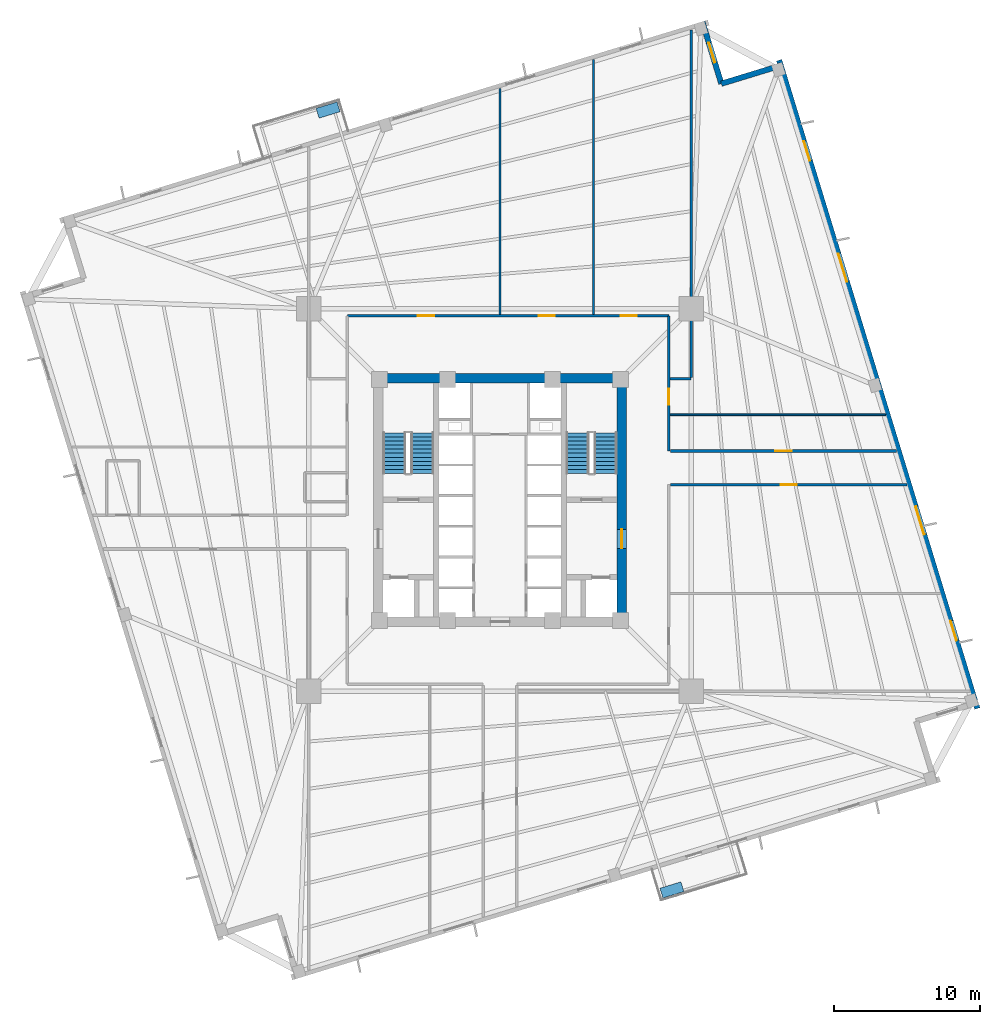
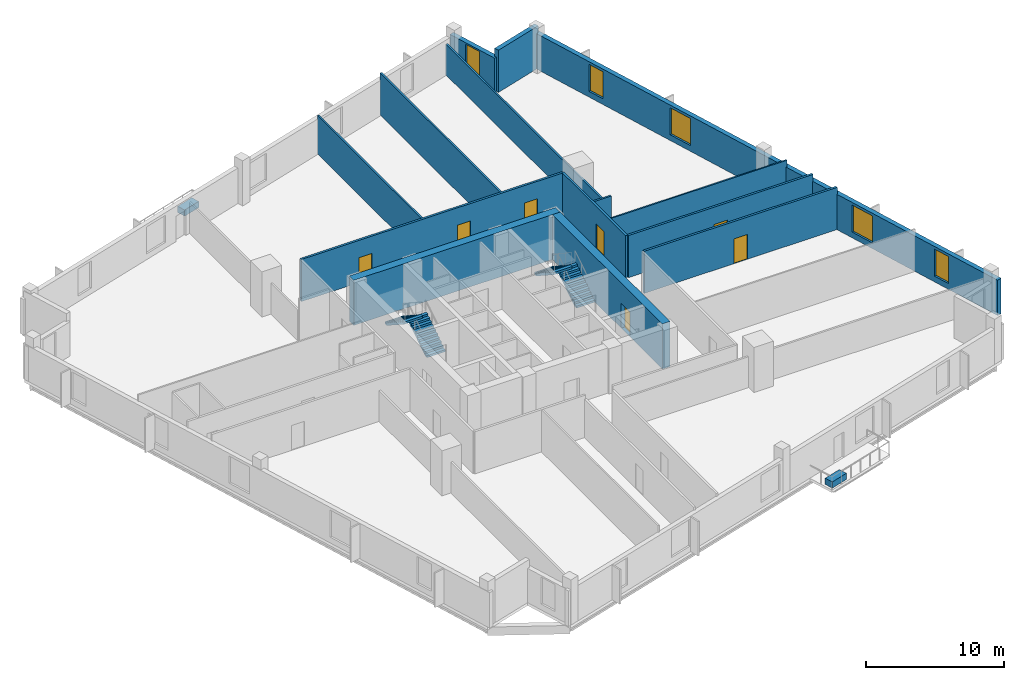
# One storey, part 5 of 8: 14 walls, 7 doors, 5 windows, 4 stair flights, 2 discrete accessories, 12 openings, 2 elements without a shape of their own.
"""IFC4 building model written with IfcOpenShell, lengths in metres."""

from ifc_helpers import new_model, si_unit, direction, frame, frame_2d, origin, origin_2d, place, context, subcontext, project, spatial, polyline, rectangle, outline, extrude, source, transform, mapped, material, layer, layer_set, type_object, element, fill, aggregate, save


model = new_model("IFC4")

# Units and contexts
model_context = context("Model", 3, precision=1e-05, world=origin(), true_north=direction((0.0, 1.0)))
body_context = subcontext(model_context, "Body", "Model", "MODEL_VIEW")
ifc_project = project(units=[si_unit("LENGTHUNIT", "METRE"), si_unit("AREAUNIT", "SQUARE_METRE"), si_unit("VOLUMEUNIT", "CUBIC_METRE"), si_unit("PLANEANGLEUNIT", "RADIAN"), si_unit("MASSUNIT", "GRAM", prefix="KILO"), si_unit("THERMODYNAMICTEMPERATUREUNIT", "KELVIN")], contexts=[model_context])

# Site, building, storey
site_placement = place(None, origin())
site = spatial("IfcSite", under=ifc_project, at=site_placement, CompositionType="ELEMENT")
building_placement = place(site_placement, origin())
building = spatial("IfcBuilding", under=site, at=building_placement, Name="Kosmvard Interchange Tower", CompositionType="ELEMENT")
storey_placement = place(building_placement, frame((0.0, 0.0, 123.199951171875)))
storey = spatial("IfcBuildingStorey", under=building, at=storey_placement, Name="L29", CompositionType="ELEMENT", Elevation=123.199951171875)

# Walls
ifc_material_1 = material(Name="Acoustic gypsum partition system")
ifc_layer_1 = layer(ifc_material_1, 0.14990234375, Name="Acoustic gypsum partition system")
ifc_layer_set_1 = layer_set([ifc_layer_1], Name="Acoustic gypsum partition system")
wall_type_1 = type_object("IfcWallType", Name="Acoustic Suite & Meeting Partition 150", PredefinedType="PARTITIONING", material=ifc_layer_set_1)
wall_1_placement = place(storey_placement, frame((0.0, 12.695068359375, 0.0), z_axis=(0.0, 0.0, 1.0), x_axis=(0.0, 1.0, 0.0)))
element("IfcWall", 1, at=wall_1_placement, inside=storey, type_object=wall_type_1, Name="L29 Room Partition 03.1", PredefinedType="PARTITIONING", context=body_context, shape_type="SweptSolid", body=[
    extrude(rectangle(XDim=15.470703125, YDim=0.14990234375, at=frame_2d((7.7353515625, 0.0))), origin(), (0.0, 0.0, 1.0), 3.41015625),
])
wall_2_placement = place(storey_placement, frame((6.39990234375, 12.695068359375, 0.0), z_axis=(0.0, 0.0, 1.0), x_axis=(0.0, 1.0, 0.0)))
element("IfcWall", 2, at=wall_2_placement, inside=storey, type_object=wall_type_1, Name="L29 Room Partition 04.1", PredefinedType="PARTITIONING", context=body_context, shape_type="SweptSolid", body=[
    extrude(rectangle(XDim=17.42724609375, YDim=0.14990234375, at=frame_2d((8.713623046875, 0.0))), origin(), (0.0, 0.0, 1.0), 3.739990234375),
])
wall_3_placement = place(storey_placement, frame((11.64501953125, 8.300048828125, 0.0), z_axis=(0.0, 0.0, 1.0), x_axis=(1.0, 0.0, 0.0)))
element("IfcWall", 3, at=wall_3_placement, inside=storey, type_object=wall_type_1, Name="L29 Room Partition 05.1", PredefinedType="PARTITIONING", context=body_context, shape_type="SweptSolid", body=[
    extrude(rectangle(XDim=1.43603515625, YDim=0.14990234375, at=frame_2d((0.718017578125, 0.0))), origin(), (0.0, 0.0, 1.0), 3.739990234375),
])
wall_4_placement = place(storey_placement, frame((13.0810546875, 8.375, 0.0), z_axis=(0.0, 0.0, 1.0), x_axis=(0.0, 1.0, 0.0)))
element("IfcWall", 4, at=wall_4_placement, inside=storey, type_object=wall_type_1, Name="L29 Room Partition 06.1", PredefinedType="PARTITIONING", context=body_context, shape_type="SweptSolid", body=[
    extrude(rectangle(XDim=23.7900390625, YDim=0.14990234375, at=frame_2d((11.89501953125, 0.0))), origin(), (0.0, 0.0, 1.0), 2.73193359375),
])

# Wall, openings, doors
ifc_material_2 = material(Name="Fire-rated gypsum partition system")
ifc_layer_2 = layer(ifc_material_2, 0.179931640625, Name="Fire-rated gypsum partition system")
ifc_layer_set_2 = layer_set([ifc_layer_2], Name="Fire-rated gypsum partition system")
wall_type_2 = type_object("IfcWallType", Name="Corridor & Hotel Compartment Partition 180", PredefinedType="PARTITIONING", material=ifc_layer_set_2)
wall_5_placement = place(storey_placement, frame((-10.449951171875, 12.60009765625, 0.0), z_axis=(0.0, 0.0, 1.0), x_axis=(1.0, 0.0, 0.0)))
wall_5 = element("IfcWall", 5, at=wall_5_placement, inside=storey, type_object=wall_type_2, Name="L29 Corridor Wall CN", PredefinedType="PARTITIONING", context=body_context, shape_type="SweptSolid", body=[
    extrude(rectangle(XDim=22.0, YDim=0.179931640625, at=frame_2d((11.0, 0.0))), origin(), (0.0, 0.0, 1.0), 3.739990234375),
])
opening_1_placement = place(wall_5_placement, frame((4.83935546875, 0.0, 0.0)))
opening_1 = element("IfcOpeningElement", 6, at=opening_1_placement, cuts=wall_5, Name="Opening L29-D05", PredefinedType="OPENING", context=body_context, shape_type="SweptSolid", body=[
    extrude(rectangle(XDim=1.10009765625, YDim=2.199951171875, at=frame_2d((0.550048828125, 1.10009765625))), frame((0.0, 0.10009765625, 0.0), z_axis=(0.0, -1.0, 0.0), x_axis=(1.0, 0.0, 0.0)), (0.0, 0.0, 1.0), 0.199951171875),
])
opening_2_placement = place(wall_5_placement, frame((13.10009765625, 0.0, 0.0)))
opening_2 = element("IfcOpeningElement", 7, at=opening_2_placement, cuts=wall_5, Name="Opening L29-D06", PredefinedType="OPENING", context=body_context, shape_type="SweptSolid", body=[
    extrude(rectangle(XDim=1.10009765625, YDim=2.199951171875, at=frame_2d((0.550048828125, 1.10009765625))), frame((0.0, 0.10009765625, 0.0), z_axis=(0.0, -1.0, 0.0), x_axis=(1.0, 0.0, 0.0)), (0.0, 0.0, 1.0), 0.199951171875),
])
opening_3_placement = place(wall_5_placement, frame((18.71044921875, 0.0, 0.0)))
opening_3 = element("IfcOpeningElement", 8, at=opening_3_placement, cuts=wall_5, Name="Opening L29-D07", PredefinedType="OPENING", context=body_context, shape_type="SweptSolid", body=[
    extrude(rectangle(XDim=1.10009765625, YDim=2.199951171875, at=frame_2d((0.550048828125, 1.10009765625))), frame((0.0, 0.10009765625, 0.0), z_axis=(0.0, -1.0, 0.0), x_axis=(1.0, 0.0, 0.0)), (0.0, 0.0, 1.0), 0.199951171875),
])
ifc_material_3 = material(Name="Engineered oak fire-rated timber", Category="wood")
door_type_1 = type_object("IfcDoorType", Name="Office Suite Entrance Door 1100x2200 FD30S", OperationType="NOTDEFINED", PredefinedType="DOOR", material=ifc_material_3)
shared_shape_1 = source(origin(), body_context, "Body", "SweptSolid", [
    extrude(rectangle(XDim=1.10009765625, YDim=2.199951171875, at=frame_2d((0.550048828125, 1.10009765625))), frame((0.0, 0.02490234375, 0.0), z_axis=(0.0, -1.0, 0.0), x_axis=(1.0, 0.0, 0.0)), (0.0, 0.0, 1.0), 0.050048828125),
])
door_1_placement = place(opening_1_placement, origin())
door_1 = element("IfcDoor", 9, at=door_1_placement, inside=storey, type_object=door_type_1, Name="L29 Training Seminar Room 1 Door", OperationType="SINGLE_SWING_LEFT", OverallHeight=2.199951171875, OverallWidth=1.10009765625, PredefinedType="DOOR", context=body_context, shape_type="MappedRepresentation", body=[
    mapped(shared_shape_1, transform((0.0, 0.0, 0.0), scale=1.0)),
])
fill(opening_1, door_1)
door_2_placement = place(opening_2_placement, origin())
door_2 = element("IfcDoor", 10, at=door_2_placement, inside=storey, type_object=door_type_1, Name="L29 Conference Room 2 Door", OperationType="SINGLE_SWING_RIGHT", OverallHeight=2.199951171875, OverallWidth=1.10009765625, PredefinedType="DOOR", context=body_context, shape_type="MappedRepresentation", body=[
    mapped(shared_shape_1, transform((0.0, 0.0, 0.0), scale=1.0)),
])
fill(opening_2, door_2)
door_3_placement = place(opening_3_placement, origin())
door_3 = element("IfcDoor", 11, at=door_3_placement, inside=storey, type_object=door_type_1, Name="L29 Huddle Briefing Room 3 Door", OperationType="SINGLE_SWING_LEFT", OverallHeight=2.199951171875, OverallWidth=1.10009765625, PredefinedType="DOOR", context=body_context, shape_type="MappedRepresentation", body=[
    mapped(shared_shape_1, transform((0.0, 0.0, 0.0), scale=1.0)),
])
fill(opening_3, door_3)

# Wall, opening, door
wall_6_placement = place(storey_placement, frame((11.550048828125, 3.35009765625, 0.0), z_axis=(0.0, 0.0, 1.0), x_axis=(0.0, 1.0, 0.0)))
wall_6 = element("IfcWall", 12, at=wall_6_placement, inside=storey, type_object=wall_type_2, Name="L29 Corridor Wall CEN", PredefinedType="PARTITIONING", context=body_context, shape_type="SweptSolid", body=[
    extrude(rectangle(XDim=9.25, YDim=0.179931640625, at=frame_2d((4.625, 0.0))), origin(), (0.0, 0.0, 1.0), 3.739990234375),
])
opening_4_placement = place(wall_6_placement, frame((3.16259765625, 0.0, 0.0)))
opening_4 = element("IfcOpeningElement", 13, at=opening_4_placement, cuts=wall_6, Name="Opening L29-D09", PredefinedType="OPENING", context=body_context, shape_type="SweptSolid", body=[
    extrude(rectangle(XDim=1.10009765625, YDim=2.199951171875, at=frame_2d((0.550048828125, 1.10009765625))), frame((0.0, 0.10009765625, 0.0), z_axis=(0.0, -1.0, 0.0), x_axis=(1.0, 0.0, 0.0)), (0.0, 0.0, 1.0), 0.199951171875),
])
door_4_placement = place(opening_4_placement, frame((1.10009765625, 0.0, 0.0), z_axis=(0.0, 0.0, 1.0), x_axis=(-1.0, 0.0, 0.0)))
door_4 = element("IfcDoor", 14, at=door_4_placement, inside=storey, type_object=door_type_1, Name="L29 East Legal Office 2 Door", OperationType="SINGLE_SWING_LEFT", OverallHeight=2.199951171875, OverallWidth=1.10009765625, PredefinedType="DOOR", context=body_context, shape_type="MappedRepresentation", body=[
    mapped(shared_shape_1, transform((0.0, 0.0, 0.0), scale=1.0)),
])
fill(opening_4, door_4)

wall_7_placement = place(storey_placement, frame((11.64990234375, 1.050048828125, 0.0), z_axis=(0.0, 0.0, 1.0), x_axis=(1.0, 0.0, 0.0)))
wall_7 = element("IfcWall", 15, at=wall_7_placement, inside=storey, type_object=wall_type_2, Name="L29 Corridor Wall SES", PredefinedType="PARTITIONING", context=body_context, shape_type="SweptSolid", body=[
    extrude(rectangle(XDim=16.19482421875, YDim=0.179931640625, at=frame_2d((8.097412109375, 0.0))), origin(), (0.0, 0.0, 1.0), 3.739990234375),
])
opening_5_placement = place(wall_7_placement, frame((7.54736328125, 0.0, 0.0)))
opening_5 = element("IfcOpeningElement", 16, at=opening_5_placement, cuts=wall_7, Name="Opening L29-D10", PredefinedType="OPENING", context=body_context, shape_type="SweptSolid", body=[
    extrude(rectangle(XDim=1.10009765625, YDim=2.199951171875, at=frame_2d((0.550048828125, 1.10009765625))), frame((0.0, 0.10009765625, 0.0), z_axis=(0.0, -1.0, 0.0), x_axis=(1.0, 0.0, 0.0)), (0.0, 0.0, 1.0), 0.199951171875),
])
door_5_placement = place(opening_5_placement, frame((1.10009765625, 0.0, 0.0), z_axis=(0.0, 0.0, 1.0), x_axis=(-1.0, 0.0, 0.0)))
door_5 = element("IfcDoor", 17, at=door_5_placement, inside=storey, type_object=door_type_1, Name="L29 Staff Changing Showers Door", OperationType="SINGLE_SWING_RIGHT", OverallHeight=2.199951171875, OverallWidth=1.10009765625, PredefinedType="DOOR", context=body_context, shape_type="MappedRepresentation", body=[
    mapped(shared_shape_1, transform((0.0, 0.0, 0.0), scale=1.0)),
])
fill(opening_5, door_5)

wall_8_placement = place(storey_placement, frame((11.64990234375, 3.35009765625, 0.0), z_axis=(0.0, 0.0, 1.0), x_axis=(1.0, 0.0, 0.0)))
wall_8 = element("IfcWall", 18, at=wall_8_placement, inside=storey, type_object=wall_type_2, Name="L29 Corridor Wall SEN", PredefinedType="PARTITIONING", context=body_context, shape_type="SweptSolid", body=[
    extrude(rectangle(XDim=15.49169921875, YDim=0.179931640625, at=frame_2d((7.745849609375, 0.0))), origin(), (0.0, 0.0, 1.0), 3.739990234375),
])
opening_6_placement = place(wall_8_placement, frame((7.19580078125, 0.0, 0.0)))
opening_6 = element("IfcOpeningElement", 19, at=opening_6_placement, cuts=wall_8, Name="Opening L29-D08", PredefinedType="OPENING", context=body_context, shape_type="SweptSolid", body=[
    extrude(rectangle(XDim=1.10009765625, YDim=2.199951171875, at=frame_2d((0.550048828125, 1.10009765625))), frame((0.0, 0.10009765625, 0.0), z_axis=(0.0, -1.0, 0.0), x_axis=(1.0, 0.0, 0.0)), (0.0, 0.0, 1.0), 0.199951171875),
])
door_6_placement = place(opening_6_placement, origin())
door_6 = element("IfcDoor", 20, at=door_6_placement, inside=storey, type_object=door_type_1, Name="L29 East Legal Office 1 Door", OperationType="SINGLE_SWING_RIGHT", OverallHeight=2.199951171875, OverallWidth=1.10009765625, PredefinedType="DOOR", context=body_context, shape_type="MappedRepresentation", body=[
    mapped(shared_shape_1, transform((0.0, 0.0, 0.0), scale=1.0)),
])
fill(opening_6, door_6)

# Wall, openings, windows
ifc_material_4 = material(Name="Precast concrete C45/55", Category="concrete")
ifc_layer_3 = layer(ifc_material_4, 0.3798828125, Name="Precast concrete C45/55")
ifc_layer_set_3 = layer_set([ifc_layer_3], Name="Precast concrete C45/55")
wall_type_3 = type_object("IfcWallType", Name="Lower Tower Precast Pier Wall 380 C45/55", PredefinedType="STANDARD", material=ifc_layer_set_3)
wall_9_placement = place(storey_placement, frame((32.65771484375, -14.26513671875, 0.0), z_axis=(0.0, 0.0, 1.0), x_axis=(-0.292373127906, 0.956304320851, 0.0)))
wall_9 = element("IfcWall", 21, at=wall_9_placement, inside=storey, type_object=wall_type_3, Name="L29 Precast Facade Wall F-E", PredefinedType="STANDARD", context=body_context, shape_type="SweptSolid", body=[
    extrude(rectangle(XDim=46.380126953125, YDim=0.3798828125, at=frame_2d((23.18994140625, 0.0))), origin(), (0.0, 0.0, 1.0), 3.14013671875),
])
opening_7_placement = place(wall_9_placement, frame((4.865478515625, 0.0, 0.510009765625)))
opening_7 = element("IfcOpeningElement", 22, at=opening_7_placement, cuts=wall_9, Name="Opening L29-W06", PredefinedType="OPENING", context=body_context, shape_type="SweptSolid", body=[
    extrude(rectangle(XDim=1.39990234375, YDim=2.39990234375, at=frame_2d((0.699951171875, 1.199951171875))), frame((0.0, 0.199951171875, 0.0), z_axis=(0.0, -1.0, 0.0), x_axis=(1.0, 0.0, 0.0)), (0.0, 0.0, 1.0), 0.39990234375),
])
opening_8_placement = place(wall_9_placement, frame((12.4501953125, 0.0, 0.510009765625)))
opening_8 = element("IfcOpeningElement", 23, at=opening_8_placement, cuts=wall_9, Name="Opening L29-W07", PredefinedType="OPENING", context=body_context, shape_type="SweptSolid", body=[
    extrude(rectangle(XDim=2.0, YDim=2.39990234375, at=frame_2d((1.0, 1.199951171875))), frame((0.0, 0.199951171875, 0.0), z_axis=(0.0, -1.0, 0.0), x_axis=(1.0, 0.0, 0.0)), (0.0, 0.0, 1.0), 0.39990234375),
])
opening_9_placement = place(wall_9_placement, frame((30.538330078125, 0.0, 0.510009765625)))
opening_9 = element("IfcOpeningElement", 24, at=opening_9_placement, cuts=wall_9, Name="Opening L29-W08", PredefinedType="OPENING", context=body_context, shape_type="SweptSolid", body=[
    extrude(rectangle(XDim=2.0, YDim=2.39990234375, at=frame_2d((1.0, 1.199951171875))), frame((0.0, 0.199951171875, 0.0), z_axis=(0.0, -1.0, 0.0), x_axis=(1.0, 0.0, 0.0)), (0.0, 0.0, 1.0), 0.39990234375),
])
opening_10_placement = place(wall_9_placement, frame((39.186767578125, 0.0, 0.510009765625)))
opening_10 = element("IfcOpeningElement", 25, at=opening_10_placement, cuts=wall_9, Name="Opening L29-W09", PredefinedType="OPENING", context=body_context, shape_type="SweptSolid", body=[
    extrude(rectangle(XDim=1.39990234375, YDim=2.39990234375, at=frame_2d((0.699951171875, 1.199951171875))), frame((0.0, 0.199951171875, 0.0), z_axis=(0.0, -1.0, 0.0), x_axis=(1.0, 0.0, 0.0)), (0.0, 0.0, 1.0), 0.39990234375),
])
ifc_material_5 = material(Name="Low-E solar-control double glazing", Category="glass")
window_type_1 = type_object("IfcWindowType", Name="Notched Corner Feature Window 1400x2400", PartitioningType="SINGLE_PANEL", PredefinedType="WINDOW", material=ifc_material_5)
shared_shape_2 = source(origin(), body_context, "Body", "SweptSolid", [
    extrude(rectangle(XDim=1.39990234375, YDim=2.39990234375, at=frame_2d((0.699951171875, 1.199951171875))), frame((0.0, 0.030029296875, 0.0), z_axis=(0.0, -1.0, 0.0), x_axis=(1.0, 0.0, 0.0)), (0.0, 0.0, 1.0), 0.06005859375),
])
window_1_placement = place(opening_7_placement, origin())
window_1 = element("IfcWindow", 26, at=window_1_placement, inside=storey, type_object=window_type_1, Name="L29 Facade Punched Window 06", OverallHeight=2.39990234375, OverallWidth=1.39990234375, PartitioningType="SINGLE_PANEL", PredefinedType="WINDOW", context=body_context, shape_type="MappedRepresentation", body=[
    mapped(shared_shape_2, transform((0.0, 0.0, 0.0), scale=1.0)),
])
fill(opening_7, window_1)
window_2_placement = place(opening_10_placement, origin())
window_2 = element("IfcWindow", 27, at=window_2_placement, inside=storey, type_object=window_type_1, Name="L29 Facade Punched Window 09", OverallHeight=2.39990234375, OverallWidth=1.39990234375, PartitioningType="SINGLE_PANEL", PredefinedType="WINDOW", context=body_context, shape_type="MappedRepresentation", body=[
    mapped(shared_shape_2, transform((0.0, 0.0, 0.0), scale=1.0)),
])
fill(opening_10, window_2)
window_type_2 = type_object("IfcWindowType", Name="Zone 2 Office Punched Window 2000x2400", PartitioningType="SINGLE_PANEL", PredefinedType="WINDOW", material=ifc_material_5)
shared_shape_3 = source(origin(), body_context, "Body", "SweptSolid", [
    extrude(rectangle(XDim=2.0, YDim=2.39990234375, at=frame_2d((1.0, 1.199951171875))), frame((0.0, 0.030029296875, 0.0), z_axis=(0.0, -1.0, 0.0), x_axis=(1.0, 0.0, 0.0)), (0.0, 0.0, 1.0), 0.06005859375),
])
window_3_placement = place(opening_8_placement, origin())
window_3 = element("IfcWindow", 28, at=window_3_placement, inside=storey, type_object=window_type_2, Name="L29 Facade Punched Window 07", OverallHeight=2.39990234375, OverallWidth=2.0, PartitioningType="SINGLE_PANEL", PredefinedType="WINDOW", context=body_context, shape_type="MappedRepresentation", body=[
    mapped(shared_shape_3, transform((0.0, 0.0, 0.0), scale=1.0)),
])
fill(opening_8, window_3)
window_4_placement = place(opening_9_placement, origin())
window_4 = element("IfcWindow", 29, at=window_4_placement, inside=storey, type_object=window_type_2, Name="L29 Facade Punched Window 08", OverallHeight=2.39990234375, OverallWidth=2.0, PartitioningType="SINGLE_PANEL", PredefinedType="WINDOW", context=body_context, shape_type="MappedRepresentation", body=[
    mapped(shared_shape_3, transform((0.0, 0.0, 0.0), scale=1.0)),
])
fill(opening_9, window_4)

# Wall
wall_10_placement = place(storey_placement, frame((19.20849609375, 29.724853515625, 0.0), z_axis=(0.0, 0.0, 1.0), x_axis=(-0.956312764915, -0.292345507338, 0.0)))
element("IfcWall", 30, at=wall_10_placement, inside=storey, type_object=wall_type_3, Name="L29 Precast Facade Wall N-NE1", PredefinedType="STANDARD", context=body_context, shape_type="SweptSolid", body=[
    extrude(rectangle(XDim=4.249755859375, YDim=0.3798828125, at=frame_2d((2.125, 0.0))), origin(), (0.0, 0.0, 1.0), 3.739990234375),
])

# Wall, opening, window
wall_11_placement = place(storey_placement, frame((15.144287109375, 28.482421875, 0.0), z_axis=(0.0, 0.0, 1.0), x_axis=(-0.292373601522, 0.956304176051, 0.0)))
wall_11 = element("IfcWall", 31, at=wall_11_placement, inside=storey, type_object=wall_type_3, Name="L29 Precast Facade Wall N-NE2", PredefinedType="STANDARD", context=body_context, shape_type="SweptSolid", body=[
    extrude(rectangle(XDim=4.43994140625, YDim=0.3798828125, at=frame_2d((2.219970703125, 0.0))), origin(), (0.0, 0.0, 1.0), 3.0400390625),
])
opening_11_placement = place(wall_11_placement, frame((1.52001953125, 0.0, 0.510009765625)))
opening_11 = element("IfcOpeningElement", 32, at=opening_11_placement, cuts=wall_11, Name="Opening L29-W21", PredefinedType="OPENING", context=body_context, shape_type="SweptSolid", body=[
    extrude(rectangle(XDim=1.39990234375, YDim=2.39990234375, at=frame_2d((0.699951171875, 1.199951171875))), frame((0.0, 0.199951171875, 0.0), z_axis=(0.0, -1.0, 0.0), x_axis=(1.0, 0.0, 0.0)), (0.0, 0.0, 1.0), 0.39990234375),
])
window_5_placement = place(opening_11_placement, origin())
window_5 = element("IfcWindow", 33, at=window_5_placement, inside=storey, type_object=window_type_1, Name="L29 Corner Notch Window 21", OverallHeight=2.39990234375, OverallWidth=1.39990234375, PartitioningType="SINGLE_PANEL", PredefinedType="WINDOW", context=body_context, shape_type="MappedRepresentation", body=[
    mapped(shared_shape_2, transform((0.0, 0.0, 0.0), scale=1.0)),
])
fill(opening_11, window_5)

# Wall
ifc_material_6 = material(Name="Concrete C70/85", Category="concrete")
ifc_layer_4 = layer(ifc_material_6, 0.64990234375, Name="Concrete C70/85")
ifc_layer_set_4 = layer_set([ifc_layer_4], Name="Concrete C70/85")
wall_type_4 = type_object("IfcWallType", Name="Mid Core Shear Wall 650 C70/85", PredefinedType="SHEAR", material=ifc_layer_set_4)
wall_12_placement = place(storey_placement, frame((-8.64990234375, 8.324951171875, 0.0), z_axis=(0.0, 0.0, 1.0), x_axis=(1.0, 0.0, 0.0)))
element("IfcWall", 34, at=wall_12_placement, inside=storey, type_object=wall_type_4, Name="L29 Core Shear Wall CW-N", PredefinedType="SHEAR", context=body_context, shape_type="SweptSolid", body=[
    extrude(rectangle(XDim=17.2998046875, YDim=0.64990234375, at=frame_2d((8.64990234375, 0.0))), origin(), (0.0, 0.0, 1.0), 4.0),
])

# Wall, opening, door
wall_13_placement = place(storey_placement, frame((8.324951171875, -8.0, 0.0), z_axis=(0.0, 0.0, 1.0), x_axis=(0.0, 1.0, 0.0)))
wall_13 = element("IfcWall", 35, at=wall_13_placement, inside=storey, type_object=wall_type_4, Name="L29 Core Shear Wall CW-E", PredefinedType="SHEAR", context=body_context, shape_type="SweptSolid", body=[
    extrude(rectangle(XDim=16.0, YDim=0.64990234375, at=frame_2d((8.0, 0.0))), origin(), (0.0, 0.0, 1.0), 4.0),
])
opening_12_placement = place(wall_13_placement, frame((4.68994140625, 0.0, 0.0)))
opening_12 = element("IfcOpeningElement", 36, at=opening_12_placement, cuts=wall_13, Name="Opening L29-FD2", PredefinedType="OPENING", context=body_context, shape_type="SweptSolid", body=[
    extrude(rectangle(XDim=1.300048828125, YDim=2.199951171875, at=frame_2d((0.64990234375, 1.10009765625))), frame((0.0, 0.3349609375, 0.0), z_axis=(0.0, -1.0, 0.0), x_axis=(1.0, 0.0, 0.0)), (0.0, 0.0, 1.0), 0.669921875),
])
ifc_material_7 = material(Name="Painted fire-rated steel leaf", Category="steel")
door_type_2 = type_object("IfcDoorType", Name="Firefighting Lobby Door 1300x2200 EI60", OperationType="NOTDEFINED", PredefinedType="DOOR", material=ifc_material_7)
shared_shape_4 = source(origin(), body_context, "Body", "SweptSolid", [
    extrude(rectangle(XDim=1.300048828125, YDim=2.199951171875, at=frame_2d((0.64990234375, 1.10009765625))), frame((0.0, 0.02490234375, 0.0), z_axis=(0.0, -1.0, 0.0), x_axis=(1.0, 0.0, 0.0)), (0.0, 0.0, 1.0), 0.050048828125),
])
door_7_placement = place(opening_12_placement, origin())
door_7 = element("IfcDoor", 37, at=door_7_placement, inside=storey, type_object=door_type_2, Name="L29 Firefighting Lobby East Door", OperationType="SINGLE_SWING_RIGHT", OverallHeight=2.199951171875, OverallWidth=1.300048828125, PredefinedType="DOOR", context=body_context, shape_type="MappedRepresentation", body=[
    mapped(shared_shape_4, transform((0.0, 0.0, 0.0), scale=1.0)),
])
fill(opening_12, door_7)

# Wall
ifc_material_8 = material(Name="Gypsum board partition system")
ifc_layer_5 = layer(ifc_material_8, 0.1201171875, Name="Gypsum board partition system")
ifc_layer_set_5 = layer_set([ifc_layer_5], Name="Gypsum board partition system")
wall_type_5 = type_object("IfcWallType", Name="Office Cellular Partition 120", PredefinedType="PARTITIONING", material=ifc_layer_set_5)
wall_14_placement = place(storey_placement, frame((11.64501953125, 5.824951171875, 0.0), z_axis=(0.0, 0.0, 1.0), x_axis=(1.0, 0.0, 0.0)))
element("IfcWall", 38, at=wall_14_placement, inside=storey, type_object=wall_type_5, Name="L29 Room Partition 08.1", PredefinedType="PARTITIONING", context=body_context, shape_type="SweptSolid", body=[
    extrude(rectangle(XDim=14.73974609375, YDim=0.1201171875, at=frame_2d((7.369873046875, 0.0))), origin(), (0.0, 0.0, 1.0), 3.739990234375),
])

# Stair, stair flights
ifc_material_9 = material(Name="Concrete C50/60", Category="concrete")
stair_type = type_object("IfcStairType", Name="Dog-Leg Core Exit Stair H4000 C50/60", PredefinedType="HALF_TURN_STAIR", material=ifc_material_9)
stair_1_placement = place(storey_placement, origin())
stair_1 = element("IfcStair", 39, at=stair_1_placement, inside=storey, type_object=stair_type, Name="L29 Protected Exit Stair ST-1", PredefinedType="HALF_TURN_STAIR")
stair_flight_type = type_object("IfcStairFlightType", Name="Core Stair Flight W1550 H4000 C50/60", PredefinedType="STRAIGHT", material=ifc_material_9)
shared_shape_5 = source(origin(), body_context, "Body", "SweptSolid", [
    extrude(outline(polyline([(0.0, 0.0), (0.0, 0.181884765625), (0.280029296875, 0.181884765625), (0.280029296875, 0.363525390625), (0.56005859375, 0.363525390625), (0.56005859375, 0.54541015625), (0.840087890625, 0.54541015625), (0.840087890625, 0.727294921875), (1.1201171875, 0.727294921875), (1.1201171875, 0.9091796875), (1.39990234375, 0.9091796875), (1.39990234375, 1.0908203125), (1.679931640625, 1.0908203125), (1.679931640625, 1.272705078125), (1.9599609375, 1.272705078125), (1.9599609375, 1.45458984375), (2.239990234375, 1.45458984375), (2.239990234375, 1.636474609375), (2.52001953125, 1.636474609375), (2.52001953125, 1.818115234375), (2.800048828125, 1.818115234375), (2.800048828125, 2.0), (2.800048828125, 1.62744140625), (0.293701171875, 0.0), (0.0, 0.0)])), frame((0.0, 0.77490234375, 0.0), z_axis=(0.0, -1.0, 0.0), x_axis=(1.0, 0.0, 0.0)), (0.0, 0.0, 1.0), 1.550048828125),
])
stair_flight_1_placement = place(storey_placement, frame((-5.31494140625, 1.800048828125, 0.0), z_axis=(0.0, 0.0, 1.0), x_axis=(0.0, 1.0, 0.0)))
stair_flight_1 = element("IfcStairFlight", 40, at=stair_flight_1_placement, type_object=stair_flight_type, Name="ST-1 flight 1", NumberOfRisers=11, NumberOfTreads=10, PredefinedType="STRAIGHT", RiserHeight=0.181818182, TreadLength=0.28, context=body_context, shape_type="MappedRepresentation", body=[
    mapped(shared_shape_5, transform((0.0, 0.0, 0.0), scale=1.0)),
])
stair_flight_2_placement = place(storey_placement, frame((-7.22509765625, 4.60009765625, 2.0), z_axis=(0.0, 0.0, 1.0), x_axis=(0.0, -1.0, 0.0)))
stair_flight_2 = element("IfcStairFlight", 41, at=stair_flight_2_placement, type_object=stair_flight_type, Name="ST-1 flight 2", NumberOfRisers=11, NumberOfTreads=10, PredefinedType="STRAIGHT", RiserHeight=0.181818182, TreadLength=0.28, context=body_context, shape_type="MappedRepresentation", body=[
    mapped(shared_shape_5, transform((0.0, 0.0, 0.0), scale=1.0)),
])
aggregate(stair_1, [stair_flight_1, stair_flight_2])

stair_2_placement = place(storey_placement, origin())
stair_2 = element("IfcStair", 42, at=stair_2_placement, inside=storey, type_object=stair_type, Name="L29 Protected Exit Stair ST-2", PredefinedType="HALF_TURN_STAIR")
stair_flight_3_placement = place(storey_placement, frame((7.22509765625, 1.800048828125, 0.0), z_axis=(0.0, 0.0, 1.0), x_axis=(0.0, 1.0, 0.0)))
stair_flight_3 = element("IfcStairFlight", 43, at=stair_flight_3_placement, type_object=stair_flight_type, Name="ST-2 flight 1", NumberOfRisers=11, NumberOfTreads=10, PredefinedType="STRAIGHT", RiserHeight=0.181818182, TreadLength=0.28, context=body_context, shape_type="MappedRepresentation", body=[
    mapped(shared_shape_5, transform((0.0, 0.0, 0.0), scale=1.0)),
])
stair_flight_4_placement = place(storey_placement, frame((5.31494140625, 4.60009765625, 2.0), z_axis=(0.0, 0.0, 1.0), x_axis=(0.0, -1.0, 0.0)))
stair_flight_4 = element("IfcStairFlight", 44, at=stair_flight_4_placement, type_object=stair_flight_type, Name="ST-2 flight 2", NumberOfRisers=11, NumberOfTreads=10, PredefinedType="STRAIGHT", RiserHeight=0.181818182, TreadLength=0.28, context=body_context, shape_type="MappedRepresentation", body=[
    mapped(shared_shape_5, transform((0.0, 0.0, 0.0), scale=1.0)),
])
aggregate(stair_2, [stair_flight_3, stair_flight_4])

# Discrete accessories
ifc_material_10 = material(Name="Terracotta precast planter concrete C45/55", Category="masonry")
discrete_accessory_type = type_object("IfcDiscreteAccessoryType", Name="Precast Tree-Balcony & Terrace Planter Box", PredefinedType="USERDEFINED", material=ifc_material_10)
shared_shape_6 = source(origin(), body_context, "Body", "SweptSolid", [
    extrude(rectangle(XDim=1.5, YDim=0.699951171875, at=origin_2d()), origin(), (0.0, 0.0, 1.0), 0.550048828125),
])
for number, where, z_axis, x_axis, name in (
    (45, (11.763427734375, -26.67626953125, 0.0), (0.0, 0.0, 1.0), (0.956304755963, 0.292371704723, 0.0), "L29 Balcony Tree Planter BAL-L29-SW"),
    (46, (-11.763427734375, 26.67626953125, 0.0), (0.0, 0.0, 1.0), (0.956304755963, 0.292371704723, 0.0), "L29 Balcony Tree Planter BAL-L29-NE"),
):
    element("IfcDiscreteAccessory", number, at=place(storey_placement, frame(where, z_axis=z_axis, x_axis=x_axis)), inside=storey, type_object=discrete_accessory_type, Name=name, ObjectType="PLANTER", PredefinedType="USERDEFINED", context=body_context, shape_type="MappedRepresentation", body=[
        mapped(shared_shape_6, transform((0.0, 0.0, 0.0), scale=1.0)),
    ])

save(model, "model.ifc")
